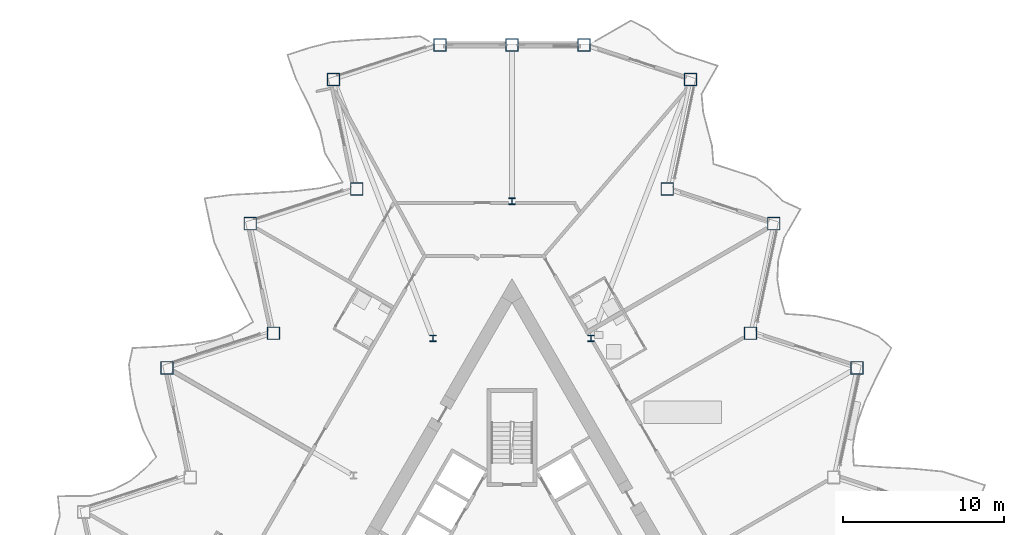
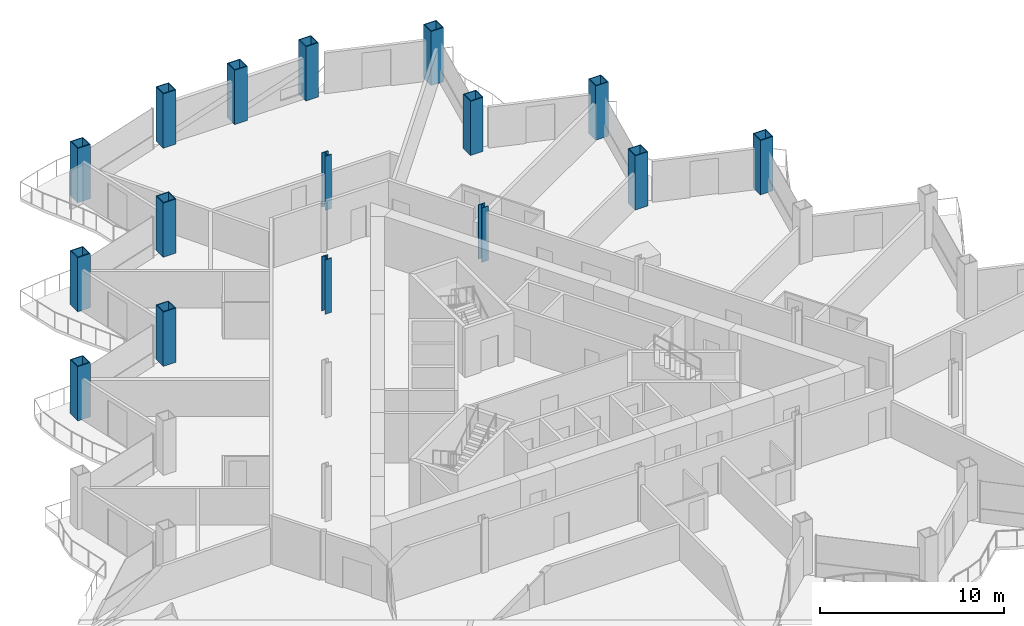
# One storey, part 2 of 22: 16 columns.
"""IFC4 building model written with IfcOpenShell, lengths in metres."""

from ifc_helpers import new_model, si_unit, direction, frame, origin, origin_2d, place, context, subcontext, project, spatial, hollow_rectangle, i_section, extrude, material, material_profile, profile_set, type_object, element, save


model = new_model("IFC4")

# Units and contexts
model_context = context("Model", 3, precision=1e-05, world=origin(), true_north=direction((0.0, 1.0)))
body_context = subcontext(model_context, "Body", "Model", "MODEL_VIEW")
ifc_project = project(units=[si_unit("LENGTHUNIT", "METRE"), si_unit("AREAUNIT", "SQUARE_METRE"), si_unit("VOLUMEUNIT", "CUBIC_METRE"), si_unit("PLANEANGLEUNIT", "RADIAN"), si_unit("MASSUNIT", "GRAM", prefix="KILO")], contexts=[model_context])

# Site, building, storey
site_placement = place(None, origin())
site = spatial("IfcSite", under=ifc_project, at=site_placement, CompositionType="ELEMENT")
building_placement = place(site_placement, origin())
building = spatial("IfcBuilding", under=site, at=building_placement, Name="Cormorant Prow Tower", CompositionType="ELEMENT")
storey_placement = place(building_placement, frame((0.0, 0.0, 194.39990234375)))
storey = spatial("IfcBuildingStorey", under=building, at=storey_placement, Name="L42", CompositionType="ELEMENT", Elevation=194.39990234375)

# Columns
ifc_material_1 = material(Name="Structural steel ASTM A572 Gr 50", Category="steel")
ifc_material_profile_1 = material_profile(ifc_material_1, hollow_rectangle(XDim=0.800048828125, YDim=0.800048828125, WallThickness=0.050048828125, at=origin_2d()), Name="Box 800x800x50")
ifc_profile_set_1 = profile_set([ifc_material_profile_1], Name="Structural steel ASTM A572 Gr 50")
column_type_1 = type_object("IfcColumnType", Name="Perimeter box column 800x800x50", PredefinedType="COLUMN", material=ifc_profile_set_1)
for number, where, z_axis, x_axis, name in (
    (1, (21.409423828125, 12.36083984375, 0.0), (0.0, 0.0, 1.0), (1.0, 0.0, 0.0), "Perimeter column C4 at ENE05 L42"),
    (2, (14.7998046875, 14.50830078125, 0.0), (0.0, 0.0, 1.0), (1.0, 0.0, 0.0), "Perimeter column C4 at ENE06 L42"),
    (3, (16.244873046875, 21.306396484375, 0.0), (0.0, 0.0, 1.0), (1.0, 0.0, 0.0), "Perimeter column C4 at ENE07 L42"),
    (4, (9.63525390625, 23.453857421875, 0.0), (0.0, 0.0, 1.0), (1.0, 0.0, 0.0), "Perimeter column C4 at ENE08 L42"),
    (5, (11.080078125, 30.251953125, 0.0), (0.0, 0.0, 1.0), (1.0, 0.0, 0.0), "Perimeter column C4 at ENE09 L42"),
    (6, (4.470458984375, 32.3994140625, 0.0), (0.0, 0.0, 1.0), (1.0, 0.0, 0.0), "Perimeter column C4 at N00 L42"),
    (7, (0.0, 32.3994140625, 0.0), (0.0, 0.0, 1.0), (1.0, 0.0, 0.0), "Perimeter column C4 at N01 L42"),
    (8, (-4.470458984375, 32.3994140625, 0.0), (0.0, 0.0, 1.0), (1.0, 0.0, 0.0), "Perimeter column C4 at WNW00 L42"),
    (9, (-11.080078125, 30.251953125, 0.0), (0.0, 0.0, 1.0), (1.0, 0.0, 0.0), "Perimeter column C4 at WNW01 L42"),
    (10, (-9.63525390625, 23.453857421875, 0.0), (0.0, 0.0, 1.0), (1.0, 0.0, 0.0), "Perimeter column C4 at WNW02 L42"),
    (11, (-16.244873046875, 21.306396484375, 0.0), (0.0, 0.0, 1.0), (1.0, 0.0, 0.0), "Perimeter column C4 at WNW03 L42"),
    (12, (-14.7998046875, 14.50830078125, 0.0), (0.0, 0.0, 1.0), (1.0, 0.0, 0.0), "Perimeter column C4 at WNW04 L42"),
    (13, (-21.409423828125, 12.36083984375, 0.0), (0.0, 0.0, 1.0), (1.0, 0.0, 0.0), "Perimeter column C4 at WNW05 L42"),
):
    element("IfcColumn", number, at=place(storey_placement, frame(where, z_axis=z_axis, x_axis=x_axis)), inside=storey, type_object=column_type_1, Name=name, PredefinedType="COLUMN", context=body_context, shape_type="SweptSolid", body=[
        extrude(hollow_rectangle(XDim=0.800048828125, YDim=0.800048828125, WallThickness=0.050048828125, at=origin_2d()), origin(), (0.0, 0.0, 1.0), 3.60009765625),
    ])
ifc_material_2 = material(Name="Structural steel ASTM A992 Gr 50", Category="steel")
ifc_material_profile_2 = material_profile(ifc_material_2, i_section(OverallWidth=0.403564453125, OverallDepth=0.407470703125, WebThickness=0.027099609375, FlangeThickness=0.043701171875, at=origin_2d()), Name="W14x233")
ifc_profile_set_2 = profile_set([ifc_material_profile_2], Name="Structural steel ASTM A992 Gr 50")
column_type_2 = type_object("IfcColumnType", Name="Ring column W14x233", PredefinedType="COLUMN", material=ifc_profile_set_2)
for number, where, z_axis, x_axis, name in (
    (14, (0.0, 22.69775390625, 0.0), (0.0, 0.0, 1.0), (1.0, 0.0, 0.0), "Ring column 1 L42"),
    (15, (-4.914306640625, 14.186279296875, 0.0), (0.0, 0.0, 1.0), (1.0, 0.0, 0.0), "Ring column 2 L42"),
    (16, (4.914306640625, 14.186279296875, 0.0), (0.0, 0.0, 1.0), (1.0, 0.0, 0.0), "Ring column 12 L42"),
):
    element("IfcColumn", number, at=place(storey_placement, frame(where, z_axis=z_axis, x_axis=x_axis)), inside=storey, type_object=column_type_2, Name=name, PredefinedType="COLUMN", context=body_context, shape_type="SweptSolid", body=[
        extrude(i_section(OverallWidth=0.403564453125, OverallDepth=0.407470703125, WebThickness=0.027099609375, FlangeThickness=0.043701171875, at=origin_2d()), origin(), (0.0, 0.0, 1.0), 3.60009765625),
    ])

save(model, "model.ifc")
